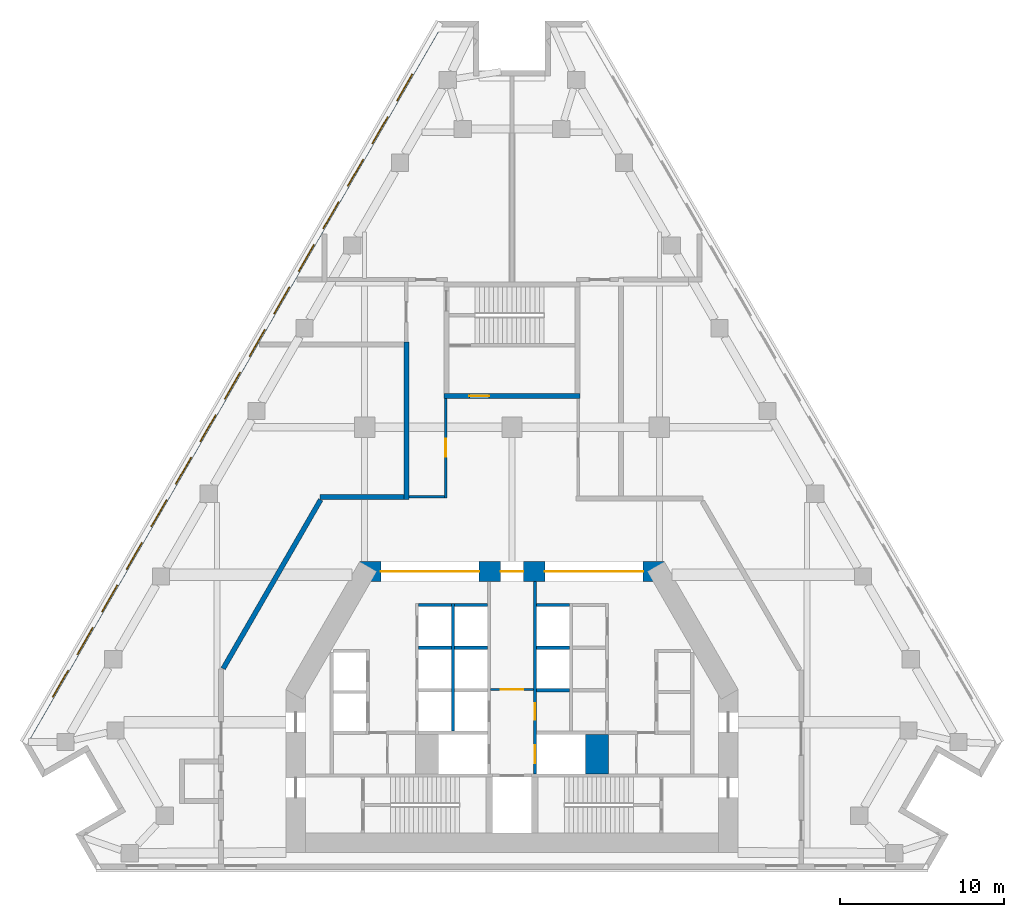
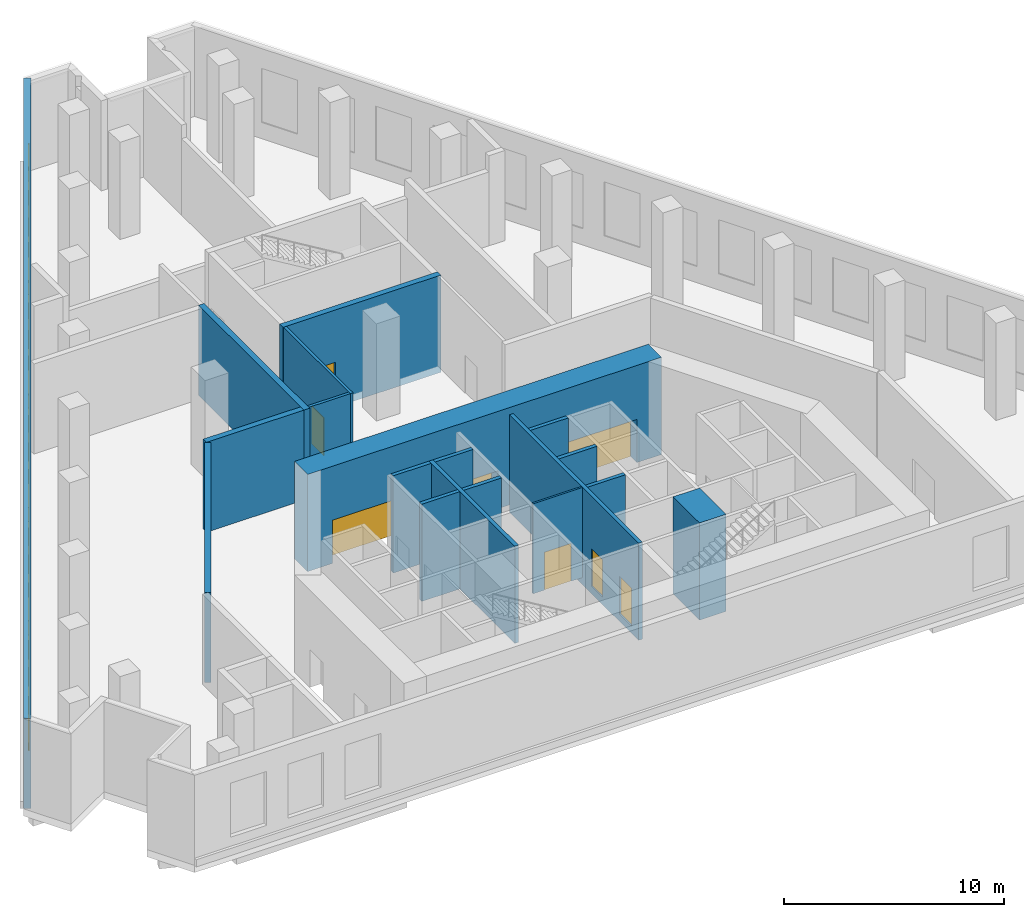
# One storey, part 5 of 10: 19 walls, 15 windows, 8 doors, 23 openings.
"""IFC4 building model written with IfcOpenShell, lengths in metres."""

from ifc_helpers import new_model, si_unit, direction, frame, frame_2d, origin, place, context, subcontext, project, spatial, rectangle, extrude, material, layer, layer_set, type_object, element, fill, save


model = new_model("IFC4")

# Units and contexts
model_context = context("Model", 3, precision=1e-05, world=origin(), true_north=direction((0.0, 1.0)))
body_context = subcontext(model_context, "Body", "Model", "MODEL_VIEW")
ifc_project = project(units=[si_unit("LENGTHUNIT", "METRE"), si_unit("AREAUNIT", "SQUARE_METRE"), si_unit("VOLUMEUNIT", "CUBIC_METRE"), si_unit("PLANEANGLEUNIT", "RADIAN"), si_unit("MASSUNIT", "GRAM", prefix="KILO")], contexts=[model_context])

# Site, building, storey
site_placement = place(None, origin())
site = spatial("IfcSite", under=ifc_project, at=site_placement, CompositionType="ELEMENT")
building_placement = place(site_placement, origin())
building = spatial("IfcBuilding", under=site, at=building_placement, Name="Fogline Exchange Tower", CompositionType="ELEMENT")
storey_placement = place(building_placement, frame((0.0, 0.0, 132.10009765625)))
storey = spatial("IfcBuildingStorey", under=building, at=storey_placement, Name="L29", CompositionType="ELEMENT", Elevation=132.10009765625)

# Wall, opening, door
ifc_material_1 = material(Name="Blockwork partition", Category="masonry")
ifc_layer_1 = layer(ifc_material_1, 0.10009765625)
ifc_layer_set_1 = layer_set([ifc_layer_1], Name="CW10")
wall_type_1 = type_object("IfcWallType", Name="CW10", PredefinedType="PARTITIONING", material=ifc_layer_set_1)
wall_1_placement = place(storey_placement, frame((-1.300048828125, 11.0, 0.0), z_axis=(0.0, 0.0, 1.0), x_axis=(1.0, 0.0, 0.0)))
wall_1 = element("IfcWall", 1, at=wall_1_placement, inside=storey, type_object=wall_type_1, Name="Lift lobby partition", PredefinedType="PARTITIONING", context=body_context, shape_type="SweptSolid", body=[
    extrude(rectangle(XDim=2.60009765625, YDim=0.10009765625, at=frame_2d((1.300048828125, 0.0))), origin(), (0.0, 0.0, 1.0), 5.0),
])
opening_1_placement = place(wall_1_placement, frame((0.60009765625, 0.0, 0.0)))
opening_1 = element("IfcOpeningElement", 2, at=opening_1_placement, cuts=wall_1, Name="Opening L29-C017", PredefinedType="OPENING", context=body_context, shape_type="SweptSolid", body=[
    extrude(rectangle(XDim=1.39990234375, YDim=2.10009765625, at=frame_2d((0.699951171875, 1.050048828125))), frame((0.0, 0.06005859375, 0.0), z_axis=(0.0, -1.0, 0.0), x_axis=(1.0, 0.0, 0.0)), (0.0, 0.0, 1.0), 0.1201171875),
])
ifc_material_2 = material(Name="Steel and timber fire door", Category="steel")
door_type_1 = type_object("IfcDoorType", Name="D-LB1", OperationType="DOUBLE_DOOR_SINGLE_SWING", PredefinedType="DOOR", material=ifc_material_2)
door_1_placement = place(opening_1_placement, frame((1.39990234375, 0.0, 0.0), z_axis=(0.0, 0.0, 1.0), x_axis=(-1.0, 0.0, 0.0)))
door_1 = element("IfcDoor", 3, at=door_1_placement, inside=storey, type_object=door_type_1, Name="Door to firefighting lift lobby", OperationType="DOUBLE_DOOR_SINGLE_SWING", OverallHeight=2.10009765625, OverallWidth=1.39990234375, PredefinedType="DOOR", context=body_context, shape_type="SweptSolid", body=[
    extrude(rectangle(XDim=1.39990234375, YDim=2.10009765625, at=frame_2d((0.699951171875, 1.050048828125))), frame((0.0, 0.02490234375, 0.0), z_axis=(0.0, -1.0, 0.0), x_axis=(1.0, 0.0, 0.0)), (0.0, 0.0, 1.0), 0.050048828125),
])
fill(opening_1, door_1)

# Walls
ifc_material_3 = material(Name="Concrete C60", Category="concrete")
ifc_layer_2 = layer(ifc_material_3, 1.39990234375)
ifc_layer_set_2 = layer_set([ifc_layer_2], Name="CW140")
wall_type_2 = type_object("IfcWallType", Name="CW140", PredefinedType="SOLIDWALL", material=ifc_layer_set_2)
wall_2_placement = place(storey_placement, frame((5.199951171875, 5.85009765625, -0.400146484375), z_axis=(0.0, 0.0, 1.0), x_axis=(0.0, 1.0, 0.0)))
element("IfcWall", 4, at=wall_2_placement, inside=storey, type_object=wall_type_2, Name="Lift shaft block wall", PredefinedType="SOLIDWALL", context=body_context, shape_type="SweptSolid", body=[
    extrude(rectangle(XDim=2.39990234375, YDim=1.39990234375, at=frame_2d((1.199951171875, 0.0))), origin(), (0.0, 0.0, 1.0), 5.400146484375),
])
ifc_material_4 = material(Name="Concrete C40", Category="concrete")
ifc_layer_3 = layer(ifc_material_4, 0.199951171875)
ifc_layer_set_3 = layer_set([ifc_layer_3], Name="CW20S")
wall_type_3 = type_object("IfcWallType", Name="CW20S", PredefinedType="SOLIDWALL", material=ifc_layer_set_3)
wall_3_placement = place(storey_placement, frame((-3.60009765625, 8.449951171875, -0.400146484375), z_axis=(0.0, 0.0, 1.0), x_axis=(0.0, 1.0, 0.0)))
element("IfcWall", 5, at=wall_3_placement, inside=storey, type_object=wall_type_3, Name="Lift shaft wall", PredefinedType="SOLIDWALL", context=body_context, shape_type="SweptSolid", body=[
    extrude(rectangle(XDim=7.800048828125, YDim=0.199951171875, at=frame_2d((3.89990234375, 0.0))), origin(), (0.0, 0.0, 1.0), 5.400146484375),
])

# Wall, openings, doors
wall_4_placement = place(storey_placement, frame((1.39990234375, 5.85009765625, -0.400146484375), z_axis=(0.0, 0.0, 1.0), x_axis=(0.0, 1.0, 0.0)))
wall_4 = element("IfcWall", 6, at=wall_4_placement, inside=storey, type_object=wall_type_3, Name="Lift lobby wall", PredefinedType="SOLIDWALL", context=body_context, shape_type="SweptSolid", body=[
    extrude(rectangle(XDim=11.75, YDim=0.199951171875, at=frame_2d((5.875, 0.0))), origin(), (0.0, 0.0, 1.0), 5.400146484375),
])
opening_2_placement = place(wall_4_placement, frame((0.64990234375, 0.0, 0.39990234375)))
opening_2 = element("IfcOpeningElement", 7, at=opening_2_placement, cuts=wall_4, Name="Opening L29-LD08", PredefinedType="OPENING", context=body_context, shape_type="SweptSolid", body=[
    extrude(rectangle(XDim=1.10009765625, YDim=2.10009765625, at=frame_2d((0.550048828125, 1.050048828125))), frame((0.0, 0.10986328125, 0.0), z_axis=(0.0, -1.0, 0.0), x_axis=(1.0, 0.0, 0.0)), (0.0, 0.0, 1.0), 0.219970703125),
])
opening_3_placement = place(wall_4_placement, frame((3.300048828125, 0.0, 0.39990234375)))
opening_3 = element("IfcOpeningElement", 8, at=opening_3_placement, cuts=wall_4, Name="Opening L29-C006", PredefinedType="OPENING", context=body_context, shape_type="SweptSolid", body=[
    extrude(rectangle(XDim=1.0, YDim=2.10009765625, at=frame_2d((0.5, 1.050048828125))), frame((0.0, 0.10986328125, 0.0), z_axis=(0.0, -1.0, 0.0), x_axis=(1.0, 0.0, 0.0)), (0.0, 0.0, 1.0), 0.219970703125),
])
door_type_2 = type_object("IfcDoorType", Name="D-RM1", OperationType="SINGLE_SWING_LEFT", PredefinedType="DOOR", material=ifc_material_2)
door_2_placement = place(opening_3_placement, frame((1.0, 0.0, 0.0), z_axis=(0.0, 0.0, 1.0), x_axis=(-1.0, 0.0, 0.0)))
door_2 = element("IfcDoor", 9, at=door_2_placement, inside=storey, type_object=door_type_2, Name="Door to Mechanical Plant Room", OperationType="SINGLE_SWING_RIGHT", OverallHeight=2.10009765625, OverallWidth=1.0, PredefinedType="DOOR", context=body_context, shape_type="SweptSolid", body=[
    extrude(rectangle(XDim=1.0, YDim=2.10009765625, at=frame_2d((0.5, 1.050048828125))), frame((0.0, 0.02490234375, 0.0), z_axis=(0.0, -1.0, 0.0), x_axis=(1.0, 0.0, 0.0)), (0.0, 0.0, 1.0), 0.050048828125),
])
fill(opening_3, door_2)
door_type_3 = type_object("IfcDoorType", Name="LD2", OperationType="SLIDING_TO_RIGHT", PredefinedType="DOOR", material=ifc_material_2)
door_3_placement = place(opening_2_placement, origin())
door_3 = element("IfcDoor", 10, at=door_3_placement, inside=storey, type_object=door_type_3, Name="Landing door FF2", OperationType="SLIDING_TO_RIGHT", OverallHeight=2.10009765625, OverallWidth=1.10009765625, PredefinedType="DOOR", context=body_context, shape_type="SweptSolid", body=[
    extrude(rectangle(XDim=1.10009765625, YDim=2.10009765625, at=frame_2d((0.550048828125, 1.050048828125))), frame((0.0, 0.02490234375, 0.0), z_axis=(0.0, -1.0, 0.0), x_axis=(1.0, 0.0, 0.0)), (0.0, 0.0, 1.0), 0.050048828125),
])
fill(opening_2, door_3)

# Walls
for number, where, z_axis, x_axis, name in (
    (11, (-5.699951171875, 13.550048828125, -0.400146484375), (0.0, 0.0, 1.0), (1.0, 0.0, 0.0), "Lift shaft wall"),
    (12, (-5.699951171875, 16.14990234375, -0.400146484375), (0.0, 0.0, 1.0), (1.0, 0.0, 0.0), "Lift shaft wall"),
    (13, (-3.5, 13.550048828125, -0.400146484375), (0.0, 0.0, 1.0), (1.0, 0.0, 0.0), "Lift shaft wall"),
    (14, (-3.5, 16.14990234375, -0.400146484375), (0.0, 0.0, 1.0), (1.0, 0.0, 0.0), "Lift shaft wall"),
    (15, (1.5, 10.949951171875, -0.400146484375), (0.0, 0.0, 1.0), (1.0, 0.0, 0.0), "Lift shaft wall"),
    (16, (1.5, 13.550048828125, -0.400146484375), (0.0, 0.0, 1.0), (1.0, 0.0, 0.0), "Lift shaft wall"),
    (17, (1.5, 16.14990234375, -0.400146484375), (0.0, 0.0, 1.0), (1.0, 0.0, 0.0), "Lift shaft wall"),
):
    element("IfcWall", number, at=place(storey_placement, frame(where, z_axis=z_axis, x_axis=x_axis)), inside=storey, type_object=wall_type_3, Name=name, PredefinedType="SOLIDWALL", context=body_context, shape_type="SweptSolid", body=[
        extrude(rectangle(XDim=2.0, YDim=0.199951171875, at=frame_2d((1.0, 0.0))), origin(), (0.0, 0.0, 1.0), 5.400146484375),
    ])

# Wall, opening, door
ifc_layer_4 = layer(ifc_material_4, 0.300048828125)
ifc_layer_set_4 = layer_set([ifc_layer_4], Name="CW30")
wall_type_4 = type_object("IfcWallType", Name="CW30", PredefinedType="SOLIDWALL", material=ifc_layer_set_4)
wall_5_placement = place(storey_placement, frame((-4.14990234375, 28.906982421875, -0.400146484375), z_axis=(0.0, 0.0, 1.0), x_axis=(1.0, 0.0, 0.0)))
wall_5 = element("IfcWall", 18, at=wall_5_placement, inside=storey, type_object=wall_type_4, Name="Stair enclosure wall ST3", PredefinedType="SOLIDWALL", context=body_context, shape_type="SweptSolid", body=[
    extrude(rectangle(XDim=8.2998046875, YDim=0.300048828125, at=frame_2d((4.14990234375, 0.0))), origin(), (0.0, 0.0, 1.0), 5.400146484375),
])
opening_4_placement = place(wall_5_placement, frame((1.550048828125, 0.0, 0.39990234375)))
opening_4 = element("IfcOpeningElement", 19, at=opening_4_placement, cuts=wall_5, Name="Opening L29-C023", PredefinedType="OPENING", context=body_context, shape_type="SweptSolid", body=[
    extrude(rectangle(XDim=1.199951171875, YDim=2.10009765625, at=frame_2d((0.60009765625, 1.050048828125))), frame((0.0, 0.16015625, 0.0), z_axis=(0.0, -1.0, 0.0), x_axis=(1.0, 0.0, 0.0)), (0.0, 0.0, 1.0), 0.320068359375),
])
door_type_4 = type_object("IfcDoorType", Name="D-FR1", OperationType="SINGLE_SWING_RIGHT", PredefinedType="DOOR", material=ifc_material_2)
door_4_placement = place(opening_4_placement, origin())
door_4 = element("IfcDoor", 20, at=door_4_placement, inside=storey, type_object=door_type_4, Name="Front room door ST3", OperationType="SINGLE_SWING_LEFT", OverallHeight=2.10009765625, OverallWidth=1.199951171875, PredefinedType="DOOR", context=body_context, shape_type="SweptSolid", body=[
    extrude(rectangle(XDim=1.199951171875, YDim=2.10009765625, at=frame_2d((0.60009765625, 1.050048828125))), frame((0.0, 0.02490234375, 0.0), z_axis=(0.0, -1.0, 0.0), x_axis=(1.0, 0.0, 0.0)), (0.0, 0.0, 1.0), 0.050048828125),
])
fill(opening_4, door_4)

# Wall, openings, windows
ifc_material_5 = material(Name="Brick masonry", Category="masonry")
ifc_layer_5 = layer(ifc_material_5, 0.340087890625)
ifc_layer_set_5 = layer_set([ifc_layer_5], Name="FW3")
wall_type_5 = type_object("IfcWallType", Name="FW3", PredefinedType="SOLIDWALL", material=ifc_layer_set_5)
wall_6_placement = place(storey_placement, frame((-4.352783203125, 51.691650390625, 0.0), z_axis=(0.0, 0.0, 1.0), x_axis=(-0.500000700546, -0.866024999324, 0.0)))
wall_6 = element("IfcWall", 21, at=wall_6_placement, inside=storey, type_object=wall_type_5, Name="Brick wall L29 W", PredefinedType="SOLIDWALL", context=body_context, shape_type="SweptSolid", body=[
    extrude(rectangle(XDim=50.78662109375, YDim=0.340087890625, at=frame_2d((25.393310546875, 0.0))), origin(), (0.0, 0.0, 1.0), 5.0),
])
opening_5_placement = place(wall_6_placement, frame((3.58984375, 0.0, 0.89990234375)))
opening_5 = element("IfcOpeningElement", 22, at=opening_5_placement, cuts=wall_6, Name="Opening W6", PredefinedType="OPENING", context=body_context, shape_type="SweptSolid", body=[
    extrude(rectangle(XDim=1.885009765625, YDim=3.0, at=frame_2d((0.9423828125, 1.5))), frame((0.0, 0.18017578125, 0.0), z_axis=(0.0, -1.0, 0.0), x_axis=(1.0, 0.0, 0.0)), (0.0, 0.0, 1.0), 0.360107421875),
])
opening_6_placement = place(wall_6_placement, frame((6.58984375, 0.0, 0.89990234375)))
opening_6 = element("IfcOpeningElement", 23, at=opening_6_placement, cuts=wall_6, Name="Opening W6", PredefinedType="OPENING", context=body_context, shape_type="SweptSolid", body=[
    extrude(rectangle(XDim=1.885009765625, YDim=3.0, at=frame_2d((0.9423828125, 1.5))), frame((0.0, 0.18017578125, 0.0), z_axis=(0.0, -1.0, 0.0), x_axis=(1.0, 0.0, 0.0)), (0.0, 0.0, 1.0), 0.360107421875),
])
opening_7_placement = place(wall_6_placement, frame((9.58984375, 0.0, 0.89990234375)))
opening_7 = element("IfcOpeningElement", 24, at=opening_7_placement, cuts=wall_6, Name="Opening W6", PredefinedType="OPENING", context=body_context, shape_type="SweptSolid", body=[
    extrude(rectangle(XDim=1.885009765625, YDim=3.0, at=frame_2d((0.9423828125, 1.5))), frame((0.0, 0.18017578125, 0.0), z_axis=(0.0, -1.0, 0.0), x_axis=(1.0, 0.0, 0.0)), (0.0, 0.0, 1.0), 0.360107421875),
])
opening_8_placement = place(wall_6_placement, frame((12.58984375, 0.0, 0.89990234375)))
opening_8 = element("IfcOpeningElement", 25, at=opening_8_placement, cuts=wall_6, Name="Opening W6", PredefinedType="OPENING", context=body_context, shape_type="SweptSolid", body=[
    extrude(rectangle(XDim=1.885009765625, YDim=3.0, at=frame_2d((0.9423828125, 1.5))), frame((0.0, 0.18017578125, 0.0), z_axis=(0.0, -1.0, 0.0), x_axis=(1.0, 0.0, 0.0)), (0.0, 0.0, 1.0), 0.360107421875),
])
opening_9_placement = place(wall_6_placement, frame((15.58984375, 0.0, 0.89990234375)))
opening_9 = element("IfcOpeningElement", 26, at=opening_9_placement, cuts=wall_6, Name="Opening W6", PredefinedType="OPENING", context=body_context, shape_type="SweptSolid", body=[
    extrude(rectangle(XDim=1.885009765625, YDim=3.0, at=frame_2d((0.9423828125, 1.5))), frame((0.0, 0.18017578125, 0.0), z_axis=(0.0, -1.0, 0.0), x_axis=(1.0, 0.0, 0.0)), (0.0, 0.0, 1.0), 0.360107421875),
])
opening_10_placement = place(wall_6_placement, frame((18.58984375, 0.0, 0.89990234375)))
opening_10 = element("IfcOpeningElement", 27, at=opening_10_placement, cuts=wall_6, Name="Opening W6", PredefinedType="OPENING", context=body_context, shape_type="SweptSolid", body=[
    extrude(rectangle(XDim=1.885009765625, YDim=3.0, at=frame_2d((0.9423828125, 1.5))), frame((0.0, 0.18017578125, 0.0), z_axis=(0.0, -1.0, 0.0), x_axis=(1.0, 0.0, 0.0)), (0.0, 0.0, 1.0), 0.360107421875),
])
opening_11_placement = place(wall_6_placement, frame((21.58984375, 0.0, 0.89990234375)))
opening_11 = element("IfcOpeningElement", 28, at=opening_11_placement, cuts=wall_6, Name="Opening W6", PredefinedType="OPENING", context=body_context, shape_type="SweptSolid", body=[
    extrude(rectangle(XDim=1.885009765625, YDim=3.0, at=frame_2d((0.9423828125, 1.5))), frame((0.0, 0.18017578125, 0.0), z_axis=(0.0, -1.0, 0.0), x_axis=(1.0, 0.0, 0.0)), (0.0, 0.0, 1.0), 0.360107421875),
])
opening_12_placement = place(wall_6_placement, frame((24.58984375, 0.0, 0.89990234375)))
opening_12 = element("IfcOpeningElement", 29, at=opening_12_placement, cuts=wall_6, Name="Opening W6", PredefinedType="OPENING", context=body_context, shape_type="SweptSolid", body=[
    extrude(rectangle(XDim=1.885009765625, YDim=3.0, at=frame_2d((0.9423828125, 1.5))), frame((0.0, 0.18017578125, 0.0), z_axis=(0.0, -1.0, 0.0), x_axis=(1.0, 0.0, 0.0)), (0.0, 0.0, 1.0), 0.360107421875),
])
opening_13_placement = place(wall_6_placement, frame((27.58984375, 0.0, 0.89990234375)))
opening_13 = element("IfcOpeningElement", 30, at=opening_13_placement, cuts=wall_6, Name="Opening W6", PredefinedType="OPENING", context=body_context, shape_type="SweptSolid", body=[
    extrude(rectangle(XDim=1.885009765625, YDim=3.0, at=frame_2d((0.9423828125, 1.5))), frame((0.0, 0.18017578125, 0.0), z_axis=(0.0, -1.0, 0.0), x_axis=(1.0, 0.0, 0.0)), (0.0, 0.0, 1.0), 0.360107421875),
])
opening_14_placement = place(wall_6_placement, frame((30.58984375, 0.0, 0.89990234375)))
opening_14 = element("IfcOpeningElement", 31, at=opening_14_placement, cuts=wall_6, Name="Opening W6", PredefinedType="OPENING", context=body_context, shape_type="SweptSolid", body=[
    extrude(rectangle(XDim=1.885009765625, YDim=3.0, at=frame_2d((0.9423828125, 1.5))), frame((0.0, 0.18017578125, 0.0), z_axis=(0.0, -1.0, 0.0), x_axis=(1.0, 0.0, 0.0)), (0.0, 0.0, 1.0), 0.360107421875),
])
opening_15_placement = place(wall_6_placement, frame((33.58984375, 0.0, 0.89990234375)))
opening_15 = element("IfcOpeningElement", 32, at=opening_15_placement, cuts=wall_6, Name="Opening W6", PredefinedType="OPENING", context=body_context, shape_type="SweptSolid", body=[
    extrude(rectangle(XDim=1.885009765625, YDim=3.0, at=frame_2d((0.9423828125, 1.5))), frame((0.0, 0.18017578125, 0.0), z_axis=(0.0, -1.0, 0.0), x_axis=(1.0, 0.0, 0.0)), (0.0, 0.0, 1.0), 0.360107421875),
])
opening_16_placement = place(wall_6_placement, frame((36.58984375, 0.0, 0.89990234375)))
opening_16 = element("IfcOpeningElement", 33, at=opening_16_placement, cuts=wall_6, Name="Opening W6", PredefinedType="OPENING", context=body_context, shape_type="SweptSolid", body=[
    extrude(rectangle(XDim=1.885009765625, YDim=3.0, at=frame_2d((0.9423828125, 1.5))), frame((0.0, 0.18017578125, 0.0), z_axis=(0.0, -1.0, 0.0), x_axis=(1.0, 0.0, 0.0)), (0.0, 0.0, 1.0), 0.360107421875),
])
opening_17_placement = place(wall_6_placement, frame((39.58984375, 0.0, 0.89990234375)))
opening_17 = element("IfcOpeningElement", 34, at=opening_17_placement, cuts=wall_6, Name="Opening W6", PredefinedType="OPENING", context=body_context, shape_type="SweptSolid", body=[
    extrude(rectangle(XDim=1.885009765625, YDim=3.0, at=frame_2d((0.9423828125, 1.5))), frame((0.0, 0.18017578125, 0.0), z_axis=(0.0, -1.0, 0.0), x_axis=(1.0, 0.0, 0.0)), (0.0, 0.0, 1.0), 0.360107421875),
])
opening_18_placement = place(wall_6_placement, frame((42.58984375, 0.0, 0.89990234375)))
opening_18 = element("IfcOpeningElement", 35, at=opening_18_placement, cuts=wall_6, Name="Opening W6", PredefinedType="OPENING", context=body_context, shape_type="SweptSolid", body=[
    extrude(rectangle(XDim=1.885009765625, YDim=3.0, at=frame_2d((0.9423828125, 1.5))), frame((0.0, 0.18017578125, 0.0), z_axis=(0.0, -1.0, 0.0), x_axis=(1.0, 0.0, 0.0)), (0.0, 0.0, 1.0), 0.360107421875),
])
opening_19_placement = place(wall_6_placement, frame((45.58984375, 0.0, 0.89990234375)))
opening_19 = element("IfcOpeningElement", 36, at=opening_19_placement, cuts=wall_6, Name="Opening W6", PredefinedType="OPENING", context=body_context, shape_type="SweptSolid", body=[
    extrude(rectangle(XDim=1.885009765625, YDim=3.0, at=frame_2d((0.9423828125, 1.5))), frame((0.0, 0.18017578125, 0.0), z_axis=(0.0, -1.0, 0.0), x_axis=(1.0, 0.0, 0.0)), (0.0, 0.0, 1.0), 0.360107421875),
])
ifc_material_6 = material(Name="Aluminium louvre", Category="aluminium")
window_type = type_object("IfcWindowType", Name="W6", PartitioningType="SINGLE_PANEL", PredefinedType="WINDOW", material=ifc_material_6)
window_1_placement = place(opening_5_placement, origin())
window_1 = element("IfcWindow", 37, at=window_1_placement, inside=storey, type_object=window_type, Name="W6 W6", OverallHeight=3.0, OverallWidth=1.885009765625, PartitioningType="SINGLE_PANEL", PredefinedType="WINDOW", context=body_context, shape_type="SweptSolid", body=[
    extrude(rectangle(XDim=1.885009765625, YDim=3.0, at=frame_2d((0.9423828125, 1.5))), frame((0.0, 0.110107421875, 0.0), z_axis=(0.0, -1.0, 0.0), x_axis=(1.0, 0.0, 0.0)), (0.0, 0.0, 1.0), 0.06005859375),
])
fill(opening_5, window_1)
window_2_placement = place(opening_6_placement, origin())
window_2 = element("IfcWindow", 38, at=window_2_placement, inside=storey, type_object=window_type, Name="W6 W6", OverallHeight=3.0, OverallWidth=1.885009765625, PartitioningType="SINGLE_PANEL", PredefinedType="WINDOW", context=body_context, shape_type="SweptSolid", body=[
    extrude(rectangle(XDim=1.885009765625, YDim=3.0, at=frame_2d((0.9423828125, 1.5))), frame((0.0, 0.110107421875, 0.0), z_axis=(0.0, -1.0, 0.0), x_axis=(1.0, 0.0, 0.0)), (0.0, 0.0, 1.0), 0.06005859375),
])
fill(opening_6, window_2)
window_3_placement = place(opening_7_placement, origin())
window_3 = element("IfcWindow", 39, at=window_3_placement, inside=storey, type_object=window_type, Name="W6 W6", OverallHeight=3.0, OverallWidth=1.885009765625, PartitioningType="SINGLE_PANEL", PredefinedType="WINDOW", context=body_context, shape_type="SweptSolid", body=[
    extrude(rectangle(XDim=1.885009765625, YDim=3.0, at=frame_2d((0.9423828125, 1.5))), frame((0.0, 0.110107421875, 0.0), z_axis=(0.0, -1.0, 0.0), x_axis=(1.0, 0.0, 0.0)), (0.0, 0.0, 1.0), 0.06005859375),
])
fill(opening_7, window_3)
window_4_placement = place(opening_8_placement, origin())
window_4 = element("IfcWindow", 40, at=window_4_placement, inside=storey, type_object=window_type, Name="W6 W6", OverallHeight=3.0, OverallWidth=1.885009765625, PartitioningType="SINGLE_PANEL", PredefinedType="WINDOW", context=body_context, shape_type="SweptSolid", body=[
    extrude(rectangle(XDim=1.885009765625, YDim=3.0, at=frame_2d((0.9423828125, 1.5))), frame((0.0, 0.110107421875, 0.0), z_axis=(0.0, -1.0, 0.0), x_axis=(1.0, 0.0, 0.0)), (0.0, 0.0, 1.0), 0.06005859375),
])
fill(opening_8, window_4)
window_5_placement = place(opening_9_placement, origin())
window_5 = element("IfcWindow", 41, at=window_5_placement, inside=storey, type_object=window_type, Name="W6 W6", OverallHeight=3.0, OverallWidth=1.885009765625, PartitioningType="SINGLE_PANEL", PredefinedType="WINDOW", context=body_context, shape_type="SweptSolid", body=[
    extrude(rectangle(XDim=1.885009765625, YDim=3.0, at=frame_2d((0.9423828125, 1.5))), frame((0.0, 0.110107421875, 0.0), z_axis=(0.0, -1.0, 0.0), x_axis=(1.0, 0.0, 0.0)), (0.0, 0.0, 1.0), 0.06005859375),
])
fill(opening_9, window_5)
window_6_placement = place(opening_10_placement, origin())
window_6 = element("IfcWindow", 42, at=window_6_placement, inside=storey, type_object=window_type, Name="W6 W6", OverallHeight=3.0, OverallWidth=1.885009765625, PartitioningType="SINGLE_PANEL", PredefinedType="WINDOW", context=body_context, shape_type="SweptSolid", body=[
    extrude(rectangle(XDim=1.885009765625, YDim=3.0, at=frame_2d((0.9423828125, 1.5))), frame((0.0, 0.110107421875, 0.0), z_axis=(0.0, -1.0, 0.0), x_axis=(1.0, 0.0, 0.0)), (0.0, 0.0, 1.0), 0.06005859375),
])
fill(opening_10, window_6)
window_7_placement = place(opening_11_placement, origin())
window_7 = element("IfcWindow", 43, at=window_7_placement, inside=storey, type_object=window_type, Name="W6 W6", OverallHeight=3.0, OverallWidth=1.885009765625, PartitioningType="SINGLE_PANEL", PredefinedType="WINDOW", context=body_context, shape_type="SweptSolid", body=[
    extrude(rectangle(XDim=1.885009765625, YDim=3.0, at=frame_2d((0.9423828125, 1.5))), frame((0.0, 0.110107421875, 0.0), z_axis=(0.0, -1.0, 0.0), x_axis=(1.0, 0.0, 0.0)), (0.0, 0.0, 1.0), 0.06005859375),
])
fill(opening_11, window_7)
window_8_placement = place(opening_12_placement, origin())
window_8 = element("IfcWindow", 44, at=window_8_placement, inside=storey, type_object=window_type, Name="W6 W6", OverallHeight=3.0, OverallWidth=1.885009765625, PartitioningType="SINGLE_PANEL", PredefinedType="WINDOW", context=body_context, shape_type="SweptSolid", body=[
    extrude(rectangle(XDim=1.885009765625, YDim=3.0, at=frame_2d((0.9423828125, 1.5))), frame((0.0, 0.110107421875, 0.0), z_axis=(0.0, -1.0, 0.0), x_axis=(1.0, 0.0, 0.0)), (0.0, 0.0, 1.0), 0.06005859375),
])
fill(opening_12, window_8)
window_9_placement = place(opening_13_placement, origin())
window_9 = element("IfcWindow", 45, at=window_9_placement, inside=storey, type_object=window_type, Name="W6 W6", OverallHeight=3.0, OverallWidth=1.885009765625, PartitioningType="SINGLE_PANEL", PredefinedType="WINDOW", context=body_context, shape_type="SweptSolid", body=[
    extrude(rectangle(XDim=1.885009765625, YDim=3.0, at=frame_2d((0.9423828125, 1.5))), frame((0.0, 0.110107421875, 0.0), z_axis=(0.0, -1.0, 0.0), x_axis=(1.0, 0.0, 0.0)), (0.0, 0.0, 1.0), 0.06005859375),
])
fill(opening_13, window_9)
window_10_placement = place(opening_14_placement, origin())
window_10 = element("IfcWindow", 46, at=window_10_placement, inside=storey, type_object=window_type, Name="W6 W6", OverallHeight=3.0, OverallWidth=1.885009765625, PartitioningType="SINGLE_PANEL", PredefinedType="WINDOW", context=body_context, shape_type="SweptSolid", body=[
    extrude(rectangle(XDim=1.885009765625, YDim=3.0, at=frame_2d((0.9423828125, 1.5))), frame((0.0, 0.110107421875, 0.0), z_axis=(0.0, -1.0, 0.0), x_axis=(1.0, 0.0, 0.0)), (0.0, 0.0, 1.0), 0.06005859375),
])
fill(opening_14, window_10)
window_11_placement = place(opening_15_placement, origin())
window_11 = element("IfcWindow", 47, at=window_11_placement, inside=storey, type_object=window_type, Name="W6 W6", OverallHeight=3.0, OverallWidth=1.885009765625, PartitioningType="SINGLE_PANEL", PredefinedType="WINDOW", context=body_context, shape_type="SweptSolid", body=[
    extrude(rectangle(XDim=1.885009765625, YDim=3.0, at=frame_2d((0.9423828125, 1.5))), frame((0.0, 0.110107421875, 0.0), z_axis=(0.0, -1.0, 0.0), x_axis=(1.0, 0.0, 0.0)), (0.0, 0.0, 1.0), 0.06005859375),
])
fill(opening_15, window_11)
window_12_placement = place(opening_16_placement, origin())
window_12 = element("IfcWindow", 48, at=window_12_placement, inside=storey, type_object=window_type, Name="W6 W6", OverallHeight=3.0, OverallWidth=1.885009765625, PartitioningType="SINGLE_PANEL", PredefinedType="WINDOW", context=body_context, shape_type="SweptSolid", body=[
    extrude(rectangle(XDim=1.885009765625, YDim=3.0, at=frame_2d((0.9423828125, 1.5))), frame((0.0, 0.110107421875, 0.0), z_axis=(0.0, -1.0, 0.0), x_axis=(1.0, 0.0, 0.0)), (0.0, 0.0, 1.0), 0.06005859375),
])
fill(opening_16, window_12)
window_13_placement = place(opening_17_placement, origin())
window_13 = element("IfcWindow", 49, at=window_13_placement, inside=storey, type_object=window_type, Name="W6 W6", OverallHeight=3.0, OverallWidth=1.885009765625, PartitioningType="SINGLE_PANEL", PredefinedType="WINDOW", context=body_context, shape_type="SweptSolid", body=[
    extrude(rectangle(XDim=1.885009765625, YDim=3.0, at=frame_2d((0.9423828125, 1.5))), frame((0.0, 0.110107421875, 0.0), z_axis=(0.0, -1.0, 0.0), x_axis=(1.0, 0.0, 0.0)), (0.0, 0.0, 1.0), 0.06005859375),
])
fill(opening_17, window_13)
window_14_placement = place(opening_18_placement, origin())
window_14 = element("IfcWindow", 50, at=window_14_placement, inside=storey, type_object=window_type, Name="W6 W6", OverallHeight=3.0, OverallWidth=1.885009765625, PartitioningType="SINGLE_PANEL", PredefinedType="WINDOW", context=body_context, shape_type="SweptSolid", body=[
    extrude(rectangle(XDim=1.885009765625, YDim=3.0, at=frame_2d((0.9423828125, 1.5))), frame((0.0, 0.110107421875, 0.0), z_axis=(0.0, -1.0, 0.0), x_axis=(1.0, 0.0, 0.0)), (0.0, 0.0, 1.0), 0.06005859375),
])
fill(opening_18, window_14)
window_15_placement = place(opening_19_placement, origin())
window_15 = element("IfcWindow", 51, at=window_15_placement, inside=storey, type_object=window_type, Name="W6 W6", OverallHeight=3.0, OverallWidth=1.885009765625, PartitioningType="SINGLE_PANEL", PredefinedType="WINDOW", context=body_context, shape_type="SweptSolid", body=[
    extrude(rectangle(XDim=1.885009765625, YDim=3.0, at=frame_2d((0.9423828125, 1.5))), frame((0.0, 0.110107421875, 0.0), z_axis=(0.0, -1.0, 0.0), x_axis=(1.0, 0.0, 0.0)), (0.0, 0.0, 1.0), 0.06005859375),
])
fill(opening_19, window_15)

# Wall, opening, door
ifc_material_7 = material(Name="Plasterboard on steel stud", Category="steel")
ifc_layer_6 = layer(ifc_material_7, 0.14990234375)
ifc_layer_set_6 = layer_set([ifc_layer_6], Name="PP1")
wall_type_6 = type_object("IfcWallType", Name="PP1", PredefinedType="PARTITIONING", material=ifc_layer_set_6)
wall_7_placement = place(storey_placement, frame((-4.050048828125, 22.675048828125, 0.0), z_axis=(0.0, 0.0, 1.0), x_axis=(0.0, 1.0, 0.0)))
wall_7 = element("IfcWall", 52, at=wall_7_placement, inside=storey, type_object=wall_type_6, Name="PP1 partition", PredefinedType="PARTITIONING", context=body_context, shape_type="SweptSolid", body=[
    extrude(rectangle(XDim=6.08203125, YDim=0.14990234375, at=frame_2d((3.041015625, 0.0))), origin(), (0.0, 0.0, 1.0), 5.0),
])
opening_20_placement = place(wall_7_placement, frame((2.5185546875, 0.0, 0.0)))
opening_20 = element("IfcOpeningElement", 53, at=opening_20_placement, cuts=wall_7, Name="Opening L29-D002", PredefinedType="OPENING", context=body_context, shape_type="SweptSolid", body=[
    extrude(rectangle(XDim=1.10009765625, YDim=2.10009765625, at=frame_2d((0.550048828125, 1.050048828125))), frame((0.0, 0.0849609375, 0.0), z_axis=(0.0, -1.0, 0.0), x_axis=(1.0, 0.0, 0.0)), (0.0, 0.0, 1.0), 0.169921875),
])
ifc_material_8 = material(Name="Steel Q235B", Category="steel")
door_type_5 = type_object("IfcDoorType", Name="PD5", OperationType="SINGLE_SWING_LEFT", PredefinedType="DOOR", material=ifc_material_8)
door_5_placement = place(opening_20_placement, origin())
door_5 = element("IfcDoor", 54, at=door_5_placement, inside=storey, type_object=door_type_5, Name="L29-D002", OperationType="SINGLE_SWING_LEFT", OverallHeight=2.10009765625, OverallWidth=1.10009765625, PredefinedType="DOOR", context=body_context, shape_type="SweptSolid", body=[
    extrude(rectangle(XDim=1.10009765625, YDim=2.10009765625, at=frame_2d((0.550048828125, 1.050048828125))), frame((0.0, 0.02490234375, 0.0), z_axis=(0.0, -1.0, 0.0), x_axis=(1.0, 0.0, 0.0)), (0.0, 0.0, 1.0), 0.050048828125),
])
fill(opening_20, door_5)

# Walls
wall_8_placement = place(storey_placement, frame((-6.300048828125, 22.75, 0.0), z_axis=(0.0, 0.0, 1.0), x_axis=(1.0, 0.0, 0.0)))
element("IfcWall", 55, at=wall_8_placement, inside=storey, type_object=wall_type_6, Name="PP1 partition", PredefinedType="PARTITIONING", context=body_context, shape_type="SweptSolid", body=[
    extrude(rectangle(XDim=2.175048828125, YDim=0.14990234375, at=frame_2d((1.08740234375, 0.0))), origin(), (0.0, 0.0, 1.0), 5.0),
])
ifc_layer_7 = layer(ifc_material_4, 0.300048828125)
ifc_layer_set_7 = layer_set([ifc_layer_7], Name="PP4")
wall_type_7 = type_object("IfcWallType", Name="PP4", PredefinedType="SOLIDWALL", material=ifc_layer_set_7)
wall_9_placement = place(storey_placement, frame((-17.626220703125, 12.27197265625, 0.0), z_axis=(0.0, 0.0, 1.0), x_axis=(0.500008476462, 0.866020509841, 0.0)))
element("IfcWall", 56, at=wall_9_placement, inside=storey, type_object=wall_type_7, Name="PP4 partition", PredefinedType="SOLIDWALL", context=body_context, shape_type="SweptSolid", body=[
    extrude(rectangle(XDim=11.895751953125, YDim=0.300048828125, at=frame_2d((5.94775390625, 0.0))), origin(), (0.0, 0.0, 1.0), 5.0),
])
wall_10_placement = place(storey_placement, frame((-6.449951171875, 22.60009765625, 0.0), z_axis=(0.0, 0.0, 1.0), x_axis=(0.0, 1.0, 0.0)))
element("IfcWall", 57, at=wall_10_placement, inside=storey, type_object=wall_type_7, Name="PP4 partition", PredefinedType="SOLIDWALL", context=body_context, shape_type="SweptSolid", body=[
    extrude(rectangle(XDim=9.599853515625, YDim=0.300048828125, at=frame_2d((4.7998046875, 0.0))), origin(), (0.0, 0.0, 1.0), 5.0),
])
wall_11_placement = place(storey_placement, frame((-11.724853515625, 22.75, 0.0), z_axis=(0.0, 0.0, 1.0), x_axis=(1.0, 0.0, 0.0)))
element("IfcWall", 58, at=wall_11_placement, inside=storey, type_object=wall_type_7, Name="PP4 partition", PredefinedType="SOLIDWALL", context=body_context, shape_type="SweptSolid", body=[
    extrude(rectangle(XDim=5.124755859375, YDim=0.300048828125, at=frame_2d((2.5625, 0.0))), origin(), (0.0, 0.0, 1.0), 5.0),
])

# Wall, openings, doors
ifc_layer_8 = layer(ifc_material_3, 1.199951171875)
ifc_layer_set_8 = layer_set([ifc_layer_8], Name="SW02")
wall_type_8 = type_object("IfcWallType", Name="SW02", PredefinedType="SHEAR", material=ifc_layer_set_8)
wall_12_placement = place(storey_placement, frame((9.296142578125, 18.199951171875, 0.0), z_axis=(0.0, 0.0, 1.0), x_axis=(-1.0, 0.0, 0.0)))
wall_12 = element("IfcWall", 59, at=wall_12_placement, inside=storey, type_object=wall_type_8, Name="L29-W904", PredefinedType="SHEAR", context=body_context, shape_type="SweptSolid", body=[
    extrude(rectangle(XDim=18.59228515625, YDim=1.199951171875, at=frame_2d((9.296142578125, 0.0))), origin(), (0.0, 0.0, 1.0), 5.39990234375),
])
opening_21_placement = place(wall_12_placement, frame((8.59619140625, 0.0, 0.0)))
opening_21 = element("IfcOpeningElement", 60, at=opening_21_placement, cuts=wall_12, Name="Opening L29-C018", PredefinedType="OPENING", context=body_context, shape_type="SweptSolid", body=[
    extrude(rectangle(XDim=1.39990234375, YDim=2.10009765625, at=frame_2d((0.699951171875, 1.050048828125))), frame((0.0, 0.60986328125, 0.0), z_axis=(0.0, -1.0, 0.0), x_axis=(1.0, 0.0, 0.0)), (0.0, 0.0, 1.0), 1.219970703125),
])
opening_22_placement = place(wall_12_placement, frame((11.296142578125, 0.0, 0.0)))
opening_22 = element("IfcOpeningElement", 61, at=opening_22_placement, cuts=wall_12, Name="Opening L29-C019", PredefinedType="OPENING", context=body_context, shape_type="SweptSolid", body=[
    extrude(rectangle(XDim=6.0, YDim=2.39990234375, at=frame_2d((3.0, 1.199951171875))), frame((0.0, 0.60986328125, 0.0), z_axis=(0.0, -1.0, 0.0), x_axis=(1.0, 0.0, 0.0)), (0.0, 0.0, 1.0), 1.219970703125),
])
opening_23_placement = place(wall_12_placement, frame((1.296142578125, 0.0, 0.0)))
opening_23 = element("IfcOpeningElement", 62, at=opening_23_placement, cuts=wall_12, Name="Opening L29-C020", PredefinedType="OPENING", context=body_context, shape_type="SweptSolid", body=[
    extrude(rectangle(XDim=6.0, YDim=2.39990234375, at=frame_2d((3.0, 1.199951171875))), frame((0.0, 0.60986328125, 0.0), z_axis=(0.0, -1.0, 0.0), x_axis=(1.0, 0.0, 0.0)), (0.0, 0.0, 1.0), 1.219970703125),
])
door_6_placement = place(opening_21_placement, origin())
door_6 = element("IfcDoor", 63, at=door_6_placement, inside=storey, type_object=door_type_1, Name="Protected lobby door", OperationType="DOUBLE_DOOR_SINGLE_SWING", OverallHeight=2.10009765625, OverallWidth=1.39990234375, PredefinedType="DOOR", context=body_context, shape_type="SweptSolid", body=[
    extrude(rectangle(XDim=1.39990234375, YDim=2.10009765625, at=frame_2d((0.699951171875, 1.050048828125))), frame((0.0, 0.02490234375, 0.0), z_axis=(0.0, -1.0, 0.0), x_axis=(1.0, 0.0, 0.0)), (0.0, 0.0, 1.0), 0.050048828125),
])
fill(opening_21, door_6)
door_type_6 = type_object("IfcDoorType", Name="D-LE1", OperationType="DOUBLE_DOOR_SLIDING", PredefinedType="DOOR", material=ifc_material_2)
door_7_placement = place(opening_22_placement, origin())
door_7 = element("IfcDoor", 64, at=door_7_placement, inside=storey, type_object=door_type_6, Name="Lift lobby entrance west", OperationType="DOUBLE_DOOR_SLIDING", OverallHeight=2.39990234375, OverallWidth=6.0, PredefinedType="DOOR", context=body_context, shape_type="SweptSolid", body=[
    extrude(rectangle(XDim=6.0, YDim=2.39990234375, at=frame_2d((3.0, 1.199951171875))), frame((0.0, 0.02490234375, 0.0), z_axis=(0.0, -1.0, 0.0), x_axis=(1.0, 0.0, 0.0)), (0.0, 0.0, 1.0), 0.050048828125),
])
fill(opening_22, door_7)
door_8_placement = place(opening_23_placement, origin())
door_8 = element("IfcDoor", 65, at=door_8_placement, inside=storey, type_object=door_type_6, Name="Lift lobby entrance east", OperationType="DOUBLE_DOOR_SLIDING", OverallHeight=2.39990234375, OverallWidth=6.0, PredefinedType="DOOR", context=body_context, shape_type="SweptSolid", body=[
    extrude(rectangle(XDim=6.0, YDim=2.39990234375, at=frame_2d((3.0, 1.199951171875))), frame((0.0, 0.02490234375, 0.0), z_axis=(0.0, -1.0, 0.0), x_axis=(1.0, 0.0, 0.0)), (0.0, 0.0, 1.0), 0.050048828125),
])
fill(opening_23, door_8)

save(model, "model.ifc")
